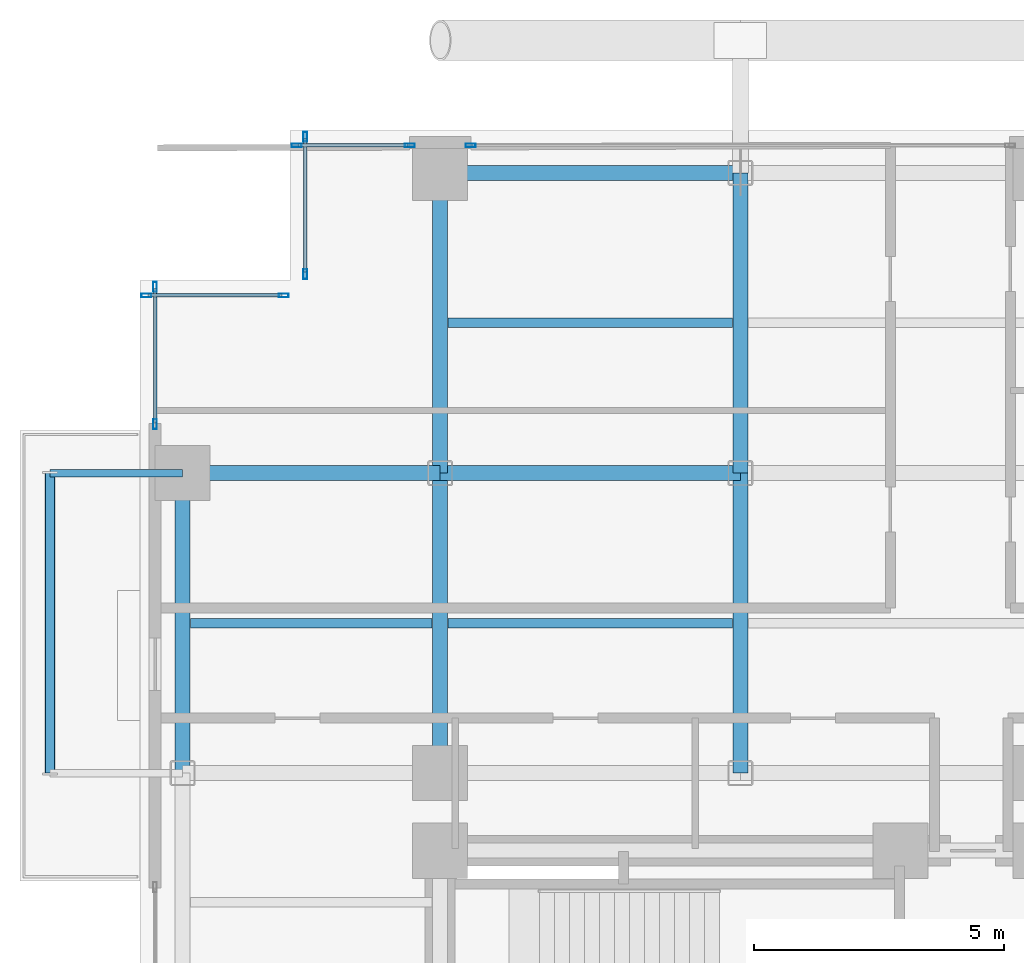
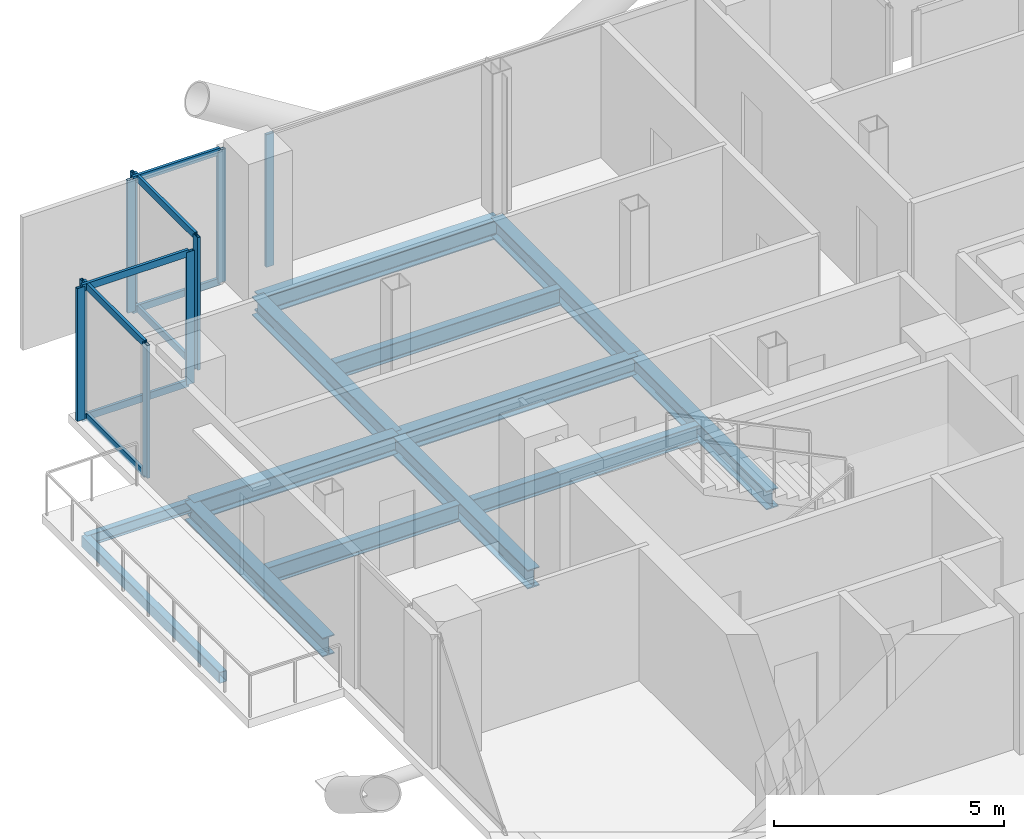
# One storey, part 15 of 28: 17 members, 13 beams, 5 elements without a shape of their own.
"""IFC4 building model written with IfcOpenShell, lengths in metres."""

from ifc_helpers import new_model, si_unit, direction, frame, origin, origin_2d, place, context, subcontext, project, spatial, hollow_rectangle, i_section, extrude, material, layer, layer_set, material_profile, profile_set, type_object, element, aggregate, save


model = new_model("IFC4")

# Units and contexts
model_context = context("Model", 3, precision=1e-05, world=origin(), true_north=direction((0.0, 1.0)))
body_context = subcontext(model_context, "Body", "Model", "MODEL_VIEW")
ifc_project = project(units=[si_unit("LENGTHUNIT", "METRE"), si_unit("AREAUNIT", "SQUARE_METRE"), si_unit("VOLUMEUNIT", "CUBIC_METRE"), si_unit("PLANEANGLEUNIT", "RADIAN"), si_unit("MASSUNIT", "GRAM", prefix="KILO"), si_unit("THERMODYNAMICTEMPERATUREUNIT", "KELVIN"), si_unit("POWERUNIT", "WATT")], contexts=[model_context])

# Site, building, storey
site_placement = place(None, origin())
site = spatial("IfcSite", under=ifc_project, at=site_placement, CompositionType="ELEMENT")
building_placement = place(site_placement, origin())
building = spatial("IfcBuilding", under=site, at=building_placement, Name="Svarakhadi Broadcast Tower", CompositionType="ELEMENT")
storey_placement = place(building_placement, frame((0.0, 0.0, 153.14990234375)))
storey = spatial("IfcBuildingStorey", under=building, at=storey_placement, Name="L37", CompositionType="ELEMENT", Elevation=153.14990234375)

# Beams
ifc_material_1 = material(Name="Steel S355J2 (IS 2062 E350C)", Category="steel")
ifc_material_profile_1 = material_profile(ifc_material_1, i_section(OverallWidth=0.18994140625, OverallDepth=0.449951171875, WebThickness=0.009521484375, FlangeThickness=0.0146484375, FilletRadius=0.02099609375, at=origin_2d()), Name="NPB 450x190x78")
ifc_profile_set_1 = profile_set([ifc_material_profile_1], Name="Steel S355J2 (IS 2062 E350C)")
beam_type_1 = type_object("IfcBeamType", Name="Beam_NPB450", PredefinedType="BEAM", material=ifc_profile_set_1)
beam_1_placement = place(storey_placement, frame((1.010009765625, 32.14990234375, -0.449951171875), z_axis=(1.0, 0.0, 0.0), x_axis=(0.0, 1.0, 0.0)))
element("IfcBeam", 1, at=beam_1_placement, inside=storey, type_object=beam_type_1, Name="L37 Secondary Composite Beam SB005", PredefinedType="BEAM", context=body_context, shape_type="SweptSolid", body=[
    extrude(i_section(OverallWidth=0.18994140625, OverallDepth=0.449951171875, WebThickness=0.009521484375, FlangeThickness=0.0146484375, FilletRadius=0.02099609375, at=origin_2d()), origin(), (0.0, 0.0, 1.0), 4.830078125),
])
for number, where, z_axis, x_axis, name in (
    (2, (6.159912109375, 32.14990234375, -0.449951171875), (1.0, 0.0, 0.0), (0.0, 1.0, 0.0), "L37 Secondary Composite Beam SB009"),
    (3, (6.159912109375, 38.14990234375, -0.449951171875), (1.0, 0.0, 0.0), (0.0, 1.0, 0.0), "L37 Secondary Composite Beam SB010"),
):
    element("IfcBeam", number, at=place(storey_placement, frame(where, z_axis=z_axis, x_axis=x_axis)), inside=storey, type_object=beam_type_1, Name=name, PredefinedType="BEAM", context=body_context, shape_type="SweptSolid", body=[
        extrude(i_section(OverallWidth=0.18994140625, OverallDepth=0.449951171875, WebThickness=0.009521484375, FlangeThickness=0.0146484375, FilletRadius=0.02099609375, at=origin_2d()), origin(), (0.0, 0.0, 1.0), 5.68017578125),
    ])

# Curtain wall, members
ifc_material_2 = material(Name="Anodised Bronze Aluminium AA 6063-T6", Category="aluminium")
ifc_layer = layer(ifc_material_2, 0.199951171875)
ifc_layer_set = layer_set([ifc_layer], Name="Anodised Bronze Aluminium AA 6063-T6")
curtain_wall_type = type_object("IfcCurtainWallType", Name="CW_Sys_03", PredefinedType="NOTDEFINED", material=ifc_layer_set)
curtain_wall_1_placement = place(storey_placement, origin())
curtain_wall_1 = element("IfcCurtainWall", 4, at=curtain_wall_1_placement, inside=storey, type_object=curtain_wall_type, Name="L37 West Curtain Wall 03", PredefinedType="NOTDEFINED")
ifc_material_profile_2 = material_profile(ifc_material_2, hollow_rectangle(XDim=0.074951171875, YDim=0.199951171875, WallThickness=0.005615234375, at=origin_2d()), Name="ALU MULLION 200x75x6")
ifc_profile_set_2 = profile_set([ifc_material_profile_2], Name="Anodised Bronze Aluminium AA 6063-T6")
member_type_1 = type_object("IfcMemberType", Name="CW_Sys_03_Mul", PredefinedType="MULLION", material=ifc_profile_set_2)
member_1_placement = place(storey_placement, frame((0.300048828125, 36.12744140625, 0.0), z_axis=(0.0, 0.0, 1.0), x_axis=(-1.0, 0.0, 0.0)))
member_1 = element("IfcMember", 5, at=member_1_placement, type_object=member_type_1, Name="CW-03 mullion 1", PredefinedType="MULLION", context=body_context, shape_type="SweptSolid", body=[
    extrude(hollow_rectangle(XDim=0.074951171875, YDim=0.199951171875, WallThickness=0.005615234375, at=origin_2d()), origin(), (0.0, 0.0, 1.0), 3.525146484375),
])
member_2_placement = place(storey_placement, frame((0.300048828125, 38.87255859375, 0.0), z_axis=(0.0, 0.0, 1.0), x_axis=(-1.0, 0.0, 0.0)))
member_2 = element("IfcMember", 6, at=member_2_placement, type_object=member_type_1, Name="CW-03 mullion 2", PredefinedType="MULLION", context=body_context, shape_type="SweptSolid", body=[
    extrude(hollow_rectangle(XDim=0.074951171875, YDim=0.199951171875, WallThickness=0.005615234375, at=origin_2d()), origin(), (0.0, 0.0, 1.0), 3.525146484375),
])

curtain_wall_2_placement = place(storey_placement, origin())
curtain_wall_2 = element("IfcCurtainWall", 7, at=curtain_wall_2_placement, inside=storey, type_object=curtain_wall_type, Name="L37 Unitised Facade Curtain Wall 04", PredefinedType="NOTDEFINED")
member_3_placement = place(storey_placement, frame((0.12744140625, 38.699951171875, 0.0), z_axis=(0.0, 0.0, 1.0), x_axis=(0.0, 1.0, 0.0)))
member_3 = element("IfcMember", 8, at=member_3_placement, type_object=member_type_1, Name="CW-03 mullion 1", PredefinedType="MULLION", context=body_context, shape_type="SweptSolid", body=[
    extrude(hollow_rectangle(XDim=0.074951171875, YDim=0.199951171875, WallThickness=0.005615234375, at=origin_2d()), origin(), (0.0, 0.0, 1.0), 3.525146484375),
])
member_4_placement = place(storey_placement, frame((2.87255859375, 38.699951171875, 0.0), z_axis=(0.0, 0.0, 1.0), x_axis=(0.0, 1.0, 0.0)))
member_4 = element("IfcMember", 9, at=member_4_placement, type_object=member_type_1, Name="CW-03 mullion 2", PredefinedType="MULLION", context=body_context, shape_type="SweptSolid", body=[
    extrude(hollow_rectangle(XDim=0.074951171875, YDim=0.199951171875, WallThickness=0.005615234375, at=origin_2d()), origin(), (0.0, 0.0, 1.0), 3.525146484375),
])

curtain_wall_3_placement = place(storey_placement, origin())
curtain_wall_3 = element("IfcCurtainWall", 10, at=curtain_wall_3_placement, inside=storey, type_object=curtain_wall_type, Name="L37 Unitised Facade Curtain Wall 05", PredefinedType="NOTDEFINED")
member_5_placement = place(storey_placement, frame((3.300048828125, 39.12744140625, 0.0), z_axis=(0.0, 0.0, 1.0), x_axis=(-1.0, 0.0, 0.0)))
member_5 = element("IfcMember", 11, at=member_5_placement, type_object=member_type_1, Name="CW-03 mullion 1", PredefinedType="MULLION", context=body_context, shape_type="SweptSolid", body=[
    extrude(hollow_rectangle(XDim=0.074951171875, YDim=0.199951171875, WallThickness=0.005615234375, at=origin_2d()), origin(), (0.0, 0.0, 1.0), 3.525146484375),
])
member_6_placement = place(storey_placement, frame((3.300048828125, 41.87255859375, 0.0), z_axis=(0.0, 0.0, 1.0), x_axis=(-1.0, 0.0, 0.0)))
member_6 = element("IfcMember", 12, at=member_6_placement, type_object=member_type_1, Name="CW-03 mullion 2", PredefinedType="MULLION", context=body_context, shape_type="SweptSolid", body=[
    extrude(hollow_rectangle(XDim=0.074951171875, YDim=0.199951171875, WallThickness=0.005615234375, at=origin_2d()), origin(), (0.0, 0.0, 1.0), 3.525146484375),
])

curtain_wall_4_placement = place(storey_placement, origin())
curtain_wall_4 = element("IfcCurtainWall", 13, at=curtain_wall_4_placement, inside=storey, type_object=curtain_wall_type, Name="L37 Unitised Facade Curtain Wall 06 Bay 1", PredefinedType="NOTDEFINED")
member_7_placement = place(storey_placement, frame((3.12744140625, 41.699951171875, 0.0), z_axis=(0.0, 0.0, 1.0), x_axis=(0.0, 1.0, 0.0)))
member_7 = element("IfcMember", 14, at=member_7_placement, type_object=member_type_1, Name="CW-03 mullion 1", PredefinedType="MULLION", context=body_context, shape_type="SweptSolid", body=[
    extrude(hollow_rectangle(XDim=0.074951171875, YDim=0.199951171875, WallThickness=0.005615234375, at=origin_2d()), origin(), (0.0, 0.0, 1.0), 3.525146484375),
])
member_8_placement = place(storey_placement, frame((5.392578125, 41.699951171875, 0.0), z_axis=(0.0, 0.0, 1.0), x_axis=(0.0, 1.0, 0.0)))
member_8 = element("IfcMember", 15, at=member_8_placement, type_object=member_type_1, Name="CW-03 mullion 2", PredefinedType="MULLION", context=body_context, shape_type="SweptSolid", body=[
    extrude(hollow_rectangle(XDim=0.074951171875, YDim=0.199951171875, WallThickness=0.005615234375, at=origin_2d()), origin(), (0.0, 0.0, 1.0), 3.525146484375),
])

# Curtain wall, member
curtain_wall_5_placement = place(storey_placement, origin())
curtain_wall_5 = element("IfcCurtainWall", 16, at=curtain_wall_5_placement, inside=storey, type_object=curtain_wall_type, Name="L37 Unitised Facade Curtain Wall 06 Bay 2", PredefinedType="NOTDEFINED")
member_9_placement = place(storey_placement, frame((6.607421875, 41.699951171875, 0.0), z_axis=(0.0, 0.0, 1.0), x_axis=(0.0, 1.0, 0.0)))
member_9 = element("IfcMember", 17, at=member_9_placement, type_object=member_type_1, Name="CW-03 mullion 1", PredefinedType="MULLION", context=body_context, shape_type="SweptSolid", body=[
    extrude(hollow_rectangle(XDim=0.074951171875, YDim=0.199951171875, WallThickness=0.005615234375, at=origin_2d()), origin(), (0.0, 0.0, 1.0), 3.525146484375),
])
aggregate(curtain_wall_5, [member_9])

# Member
ifc_material_profile_3 = material_profile(ifc_material_2, hollow_rectangle(XDim=0.070068359375, YDim=0.18505859375, WallThickness=0.0048828125, at=origin_2d()), Name="ALU TRANSOM 185x70x5")
ifc_profile_set_3 = profile_set([ifc_material_profile_3], Name="Anodised Bronze Aluminium AA 6063-T6")
member_type_2 = type_object("IfcMemberType", Name="CW_Sys_03_Trn", PredefinedType="USERDEFINED", material=ifc_profile_set_3)
member_10_placement = place(storey_placement, frame((0.300048828125, 36.1650390625, 0.03515625), z_axis=(0.0, 1.0, 0.0), x_axis=(-1.0, 0.0, 0.0)))
member_10 = element("IfcMember", 18, at=member_10_placement, type_object=member_type_2, Name="CW-03 transom 1.1", ObjectType="TRANSOM", PredefinedType="USERDEFINED", context=body_context, shape_type="SweptSolid", body=[
    extrude(hollow_rectangle(XDim=0.070068359375, YDim=0.18505859375, WallThickness=0.0048828125, at=origin_2d()), origin(), (0.0, 0.0, 1.0), 2.669921875),
])

member_11_placement = place(storey_placement, frame((0.300048828125, 36.1650390625, 3.489990234375), z_axis=(0.0, 1.0, 0.0), x_axis=(-1.0, 0.0, 0.0)))
member_11 = element("IfcMember", 19, at=member_11_placement, type_object=member_type_2, Name="CW-03 transom 1.2", ObjectType="TRANSOM", PredefinedType="USERDEFINED", context=body_context, shape_type="SweptSolid", body=[
    extrude(hollow_rectangle(XDim=0.070068359375, YDim=0.18505859375, WallThickness=0.0048828125, at=origin_2d()), origin(), (0.0, 0.0, 1.0), 2.669921875),
])

aggregate(curtain_wall_1, [member_1, member_2, member_10, member_11])

member_12_placement = place(storey_placement, frame((0.1650390625, 38.699951171875, 0.03515625), z_axis=(1.0, 0.0, 0.0), x_axis=(0.0, 1.0, 0.0)))
member_12 = element("IfcMember", 20, at=member_12_placement, type_object=member_type_2, Name="CW-03 transom 1.1", ObjectType="TRANSOM", PredefinedType="USERDEFINED", context=body_context, shape_type="SweptSolid", body=[
    extrude(hollow_rectangle(XDim=0.070068359375, YDim=0.18505859375, WallThickness=0.0048828125, at=origin_2d()), origin(), (0.0, 0.0, 1.0), 2.669921875),
])

member_13_placement = place(storey_placement, frame((0.1650390625, 38.699951171875, 3.489990234375), z_axis=(1.0, 0.0, 0.0), x_axis=(0.0, 1.0, 0.0)))
member_13 = element("IfcMember", 21, at=member_13_placement, type_object=member_type_2, Name="CW-03 transom 1.2", ObjectType="TRANSOM", PredefinedType="USERDEFINED", context=body_context, shape_type="SweptSolid", body=[
    extrude(hollow_rectangle(XDim=0.070068359375, YDim=0.18505859375, WallThickness=0.0048828125, at=origin_2d()), origin(), (0.0, 0.0, 1.0), 2.669921875),
])

aggregate(curtain_wall_2, [member_3, member_4, member_12, member_13])

member_14_placement = place(storey_placement, frame((3.300048828125, 39.1650390625, 0.03515625), z_axis=(0.0, 1.0, 0.0), x_axis=(-1.0, 0.0, 0.0)))
member_14 = element("IfcMember", 22, at=member_14_placement, type_object=member_type_2, Name="CW-03 transom 1.1", ObjectType="TRANSOM", PredefinedType="USERDEFINED", context=body_context, shape_type="SweptSolid", body=[
    extrude(hollow_rectangle(XDim=0.070068359375, YDim=0.18505859375, WallThickness=0.0048828125, at=origin_2d()), origin(), (0.0, 0.0, 1.0), 2.669921875),
])

member_15_placement = place(storey_placement, frame((3.300048828125, 39.1650390625, 3.489990234375), z_axis=(0.0, 1.0, 0.0), x_axis=(-1.0, 0.0, 0.0)))
member_15 = element("IfcMember", 23, at=member_15_placement, type_object=member_type_2, Name="CW-03 transom 1.2", ObjectType="TRANSOM", PredefinedType="USERDEFINED", context=body_context, shape_type="SweptSolid", body=[
    extrude(hollow_rectangle(XDim=0.070068359375, YDim=0.18505859375, WallThickness=0.0048828125, at=origin_2d()), origin(), (0.0, 0.0, 1.0), 2.669921875),
])

aggregate(curtain_wall_3, [member_5, member_6, member_14, member_15])

member_16_placement = place(storey_placement, frame((3.1650390625, 41.699951171875, 0.03515625), z_axis=(1.0, 0.0, 0.0), x_axis=(0.0, 1.0, 0.0)))
member_16 = element("IfcMember", 24, at=member_16_placement, type_object=member_type_2, Name="CW-03 transom 1.1", ObjectType="TRANSOM", PredefinedType="USERDEFINED", context=body_context, shape_type="SweptSolid", body=[
    extrude(hollow_rectangle(XDim=0.070068359375, YDim=0.18505859375, WallThickness=0.0048828125, at=origin_2d()), origin(), (0.0, 0.0, 1.0), 2.18994140625),
])

member_17_placement = place(storey_placement, frame((3.1650390625, 41.699951171875, 3.489990234375), z_axis=(1.0, 0.0, 0.0), x_axis=(0.0, 1.0, 0.0)))
member_17 = element("IfcMember", 25, at=member_17_placement, type_object=member_type_2, Name="CW-03 transom 1.2", ObjectType="TRANSOM", PredefinedType="USERDEFINED", context=body_context, shape_type="SweptSolid", body=[
    extrude(hollow_rectangle(XDim=0.070068359375, YDim=0.18505859375, WallThickness=0.0048828125, at=origin_2d()), origin(), (0.0, 0.0, 1.0), 2.18994140625),
])

aggregate(curtain_wall_4, [member_7, member_8, member_16, member_17])

# Beams
ifc_material_profile_4 = material_profile(ifc_material_1, i_section(OverallWidth=0.300048828125, OverallDepth=0.5, WebThickness=0.014404296875, FlangeThickness=0.028076171875, FilletRadius=0.027099609375, at=origin_2d()), Name="WPB 500x300x187")
ifc_profile_set_4 = profile_set([ifc_material_profile_4], Name="Steel S355J2 (IS 2062 E350C)")
beam_type_2 = type_object("IfcBeamType", Name="Girder_WPB500", PredefinedType="USERDEFINED", material=ifc_profile_set_4)
beam_2_placement = place(storey_placement, frame((0.85009765625, 35.14990234375, -0.474853515625), z_axis=(1.0, 0.0, 0.0), x_axis=(0.0, 1.0, 0.0)))
element("IfcBeam", 26, at=beam_2_placement, inside=storey, type_object=beam_type_2, Name="L37 Primary E-W Girder G035", ObjectType="GIRDER", PredefinedType="USERDEFINED", context=body_context, shape_type="SweptSolid", body=[
    extrude(i_section(OverallWidth=0.300048828125, OverallDepth=0.5, WebThickness=0.014404296875, FlangeThickness=0.028076171875, FilletRadius=0.027099609375, at=origin_2d()), origin(), (0.0, 0.0, 1.0), 5.14990234375),
])
for number, where, z_axis, x_axis, name in (
    (27, (6.0, 35.14990234375, -0.474853515625), (1.0, 0.0, 0.0), (0.0, 1.0, 0.0), "L37 Primary E-W Girder G036"),
    (28, (6.0, 41.14990234375, -0.474853515625), (1.0, 0.0, 0.0), (0.0, 1.0, 0.0), "L37 Primary E-W Girder G038"),
    (29, (0.85009765625, 29.14990234375, -0.474853515625), (0.0, 1.0, 0.0), (-1.0, 0.0, 0.0), "L37 Primary N-S Girder G044"),
    (30, (6.0, 29.14990234375, -0.474853515625), (0.0, 1.0, 0.0), (-1.0, 0.0, 0.0), "L37 Primary N-S Girder G049"),
    (31, (6.0, 35.14990234375, -0.474853515625), (0.0, 1.0, 0.0), (-1.0, 0.0, 0.0), "L37 Primary N-S Girder G050"),
    (32, (12.0, 29.14990234375, -0.474853515625), (0.0, 1.0, 0.0), (-1.0, 0.0, 0.0), "L37 Primary N-S Girder G054"),
    (33, (12.0, 35.14990234375, -0.474853515625), (0.0, 1.0, 0.0), (-1.0, 0.0, 0.0), "L37 Primary N-S Girder G055"),
):
    element("IfcBeam", number, at=place(storey_placement, frame(where, z_axis=z_axis, x_axis=x_axis)), inside=storey, type_object=beam_type_2, Name=name, ObjectType="GIRDER", PredefinedType="USERDEFINED", context=body_context, shape_type="SweptSolid", body=[
        extrude(i_section(OverallWidth=0.300048828125, OverallDepth=0.5, WebThickness=0.014404296875, FlangeThickness=0.028076171875, FilletRadius=0.027099609375, at=origin_2d()), origin(), (0.0, 0.0, 1.0), 6.0),
    ])
ifc_material_profile_5 = material_profile(ifc_material_1, i_section(OverallWidth=0.14990234375, OverallDepth=0.300048828125, WebThickness=0.007080078125, FlangeThickness=0.0107421875, FilletRadius=0.014892578125, at=origin_2d()), Name="NPB 300x150x37")
ifc_profile_set_5 = profile_set([ifc_material_profile_5], Name="Steel S355J2 (IS 2062 E350C)")
beam_type_3 = type_object("IfcBeamType", Name="Spandrel_NPB300", PredefinedType="SPANDREL", material=ifc_profile_set_5)
beam_3_placement = place(storey_placement, frame((0.85009765625, 35.14990234375, -0.375), z_axis=(-1.0, 0.0, 0.0), x_axis=(0.0, -1.0, 0.0)))
element("IfcBeam", 34, at=beam_3_placement, inside=storey, type_object=beam_type_3, Name="L37 Balcony Cantilever Bracket 2B", PredefinedType="SPANDREL", context=body_context, shape_type="SweptSolid", body=[
    extrude(i_section(OverallWidth=0.14990234375, OverallDepth=0.300048828125, WebThickness=0.007080078125, FlangeThickness=0.0107421875, FilletRadius=0.014892578125, at=origin_2d()), origin(), (0.0, 0.0, 1.0), 2.650146484375),
])
ifc_material_3 = material(Name="Steel S460ML (IS 2062 E450BR)", Category="steel")
ifc_material_profile_6 = material_profile(ifc_material_3, hollow_rectangle(XDim=0.199951171875, YDim=0.300048828125, WallThickness=0.012451171875, InnerFilletRadius=0.012451171875, OuterFilletRadius=0.02490234375, at=origin_2d()), Name="RHS 300x200x12.5")
ifc_profile_set_6 = profile_set([ifc_material_profile_6], Name="Steel S460ML (IS 2062 E450BR)")
beam_type_4 = type_object("IfcBeamType", Name="Spandrel_RHS300", PredefinedType="SPANDREL", material=ifc_profile_set_6)
beam_4_placement = place(storey_placement, frame((-1.800048828125, 29.14990234375, -0.375), z_axis=(0.0, 1.0, 0.0), x_axis=(-1.0, 0.0, 0.0)))
element("IfcBeam", 35, at=beam_4_placement, inside=storey, type_object=beam_type_4, Name="L37 Balcony Outer Spandrel 2F", PredefinedType="SPANDREL", context=body_context, shape_type="SweptSolid", body=[
    extrude(hollow_rectangle(XDim=0.199951171875, YDim=0.300048828125, WallThickness=0.012451171875, InnerFilletRadius=0.012451171875, OuterFilletRadius=0.02490234375, at=origin_2d()), origin(), (0.0, 0.0, 1.0), 6.0),
])

save(model, "model.ifc")
